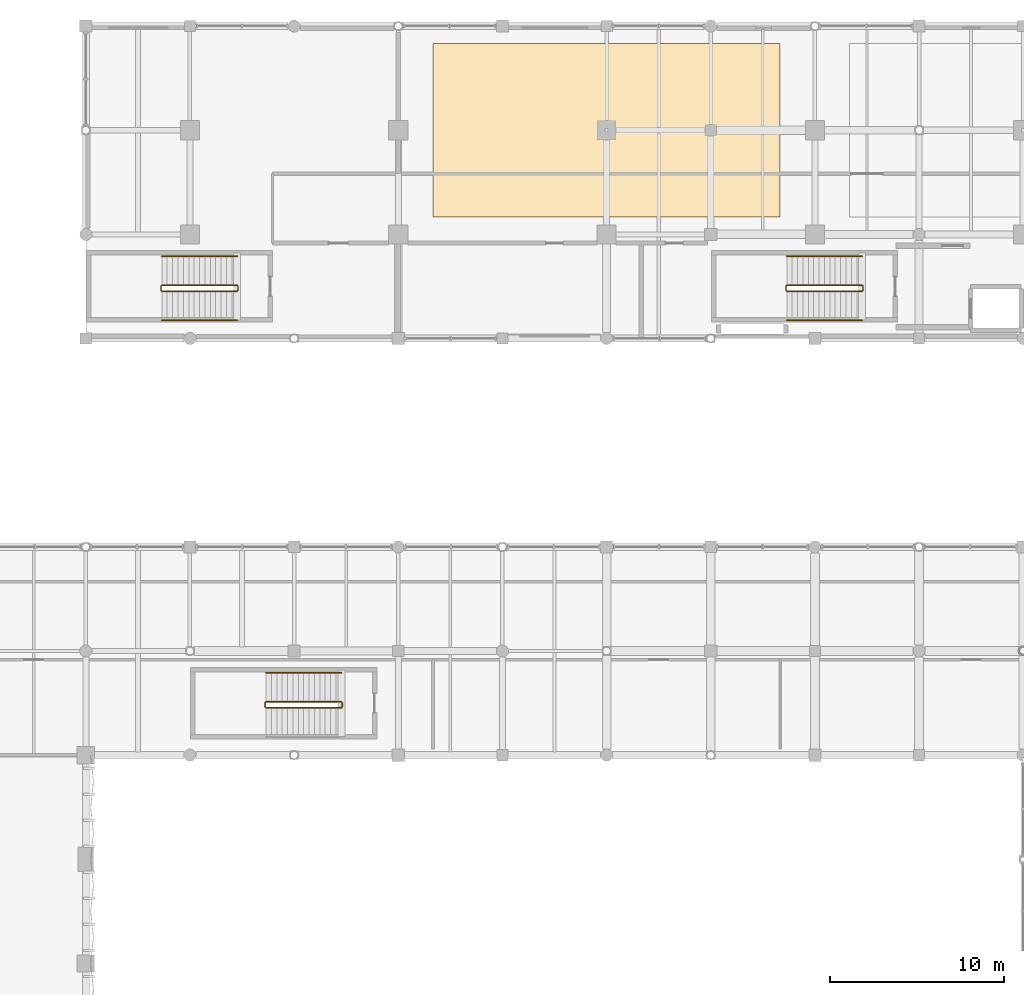
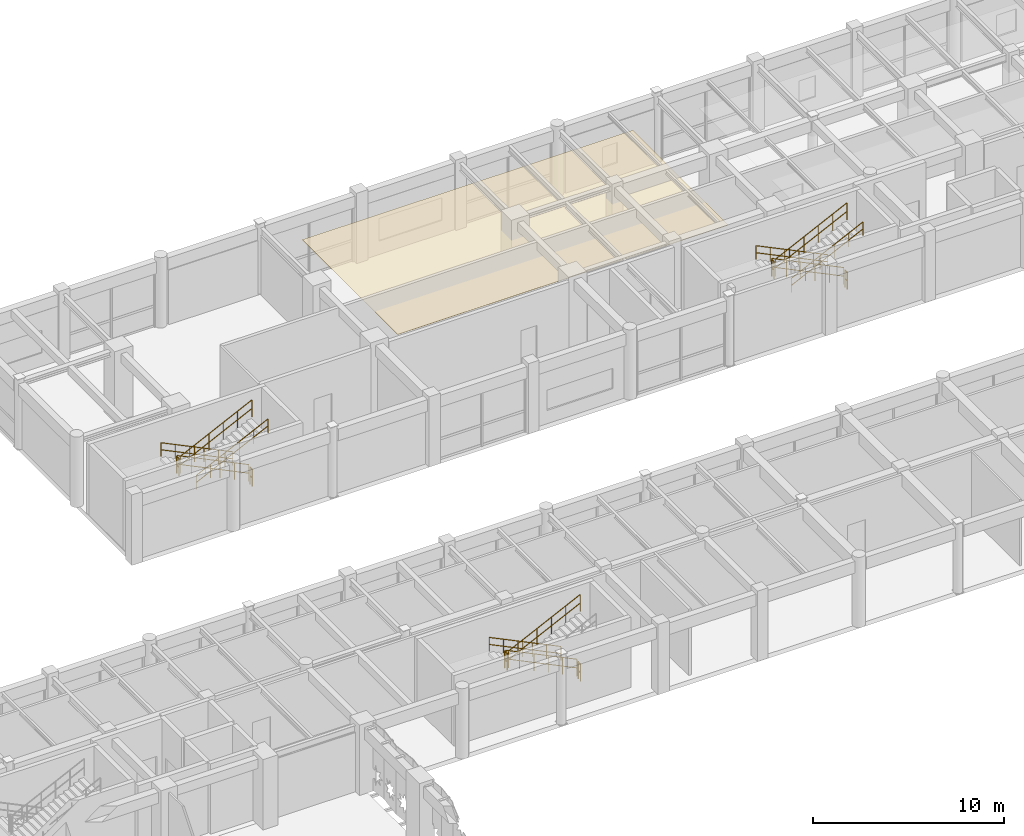
# One storey, part 113 of 116: 17 railings, 1 covering.
"""IFC4 building model written with IfcOpenShell, lengths in metres."""

from ifc_helpers import new_model, si_unit, direction, frame, origin, origin_2d, place, context, subcontext, project, spatial, polyline, circle, outline, extrude, material, layer, layer_set, type_object, element, save


model = new_model("IFC4")

# Units and contexts
model_context = context("Model", 3, precision=1e-05, world=origin(), true_north=direction((0.0, 1.0)))
body_context = subcontext(model_context, "Body", "Model", "MODEL_VIEW")
ifc_project = project(units=[si_unit("LENGTHUNIT", "METRE"), si_unit("AREAUNIT", "SQUARE_METRE"), si_unit("VOLUMEUNIT", "CUBIC_METRE"), si_unit("PLANEANGLEUNIT", "RADIAN"), si_unit("MASSUNIT", "GRAM", prefix="KILO"), si_unit("THERMODYNAMICTEMPERATUREUNIT", "KELVIN"), si_unit("POWERUNIT", "WATT")], contexts=[model_context])

# Site, building, storey
site_placement = place(None, origin())
site = spatial("IfcSite", under=ifc_project, at=site_placement, CompositionType="ELEMENT")
building_placement = place(site_placement, origin())
building = spatial("IfcBuilding", under=site, at=building_placement, Name="Phaisarnlok Congress Hotel", CompositionType="ELEMENT")
storey_placement = place(building_placement, frame((0.0, 0.0, 10.5)))
storey = spatial("IfcBuildingStorey", under=building, at=storey_placement, Name="L02", CompositionType="ELEMENT", Elevation=10.5)

# Covering
ifc_material_1 = material(Name="Perforated Timber & Mineral-Fibre Acoustic Ceiling", Category="wood")
ifc_layer = layer(ifc_material_1, 0.01806640625, Name="Perforated Timber & Mineral-Fibre Acoustic Ceiling")
ifc_layer_set = layer_set([ifc_layer], Name="Perforated Timber & Mineral-Fibre Acoustic Ceiling")
covering_type = type_object("IfcCoveringType", Name="CLG-AC-18", PredefinedType="CEILING", material=ifc_layer_set)
covering_placement = place(storey_placement, frame((0.0, 0.0, 3.199951171875)))
element("IfcCovering", 1, at=covering_placement, inside=storey, type_object=covering_type, Name="Suspended ceiling CLG-01 (L02)", PredefinedType="CEILING", context=body_context, shape_type="SweptSolid", body=[
    extrude(outline(polyline([(86.0, 125.0), (106.0, 125.0), (106.0, 115.0), (86.0, 115.0), (86.0, 125.0)])), origin(), (0.0, 0.0, 1.0), 0.01806640625),
])

# Railings
ifc_material_2 = material(Name="Painted Galvanised Steel S275", Category="steel")
railing_type_1 = type_object("IfcRailingType", Name="RLG-STR-GUARD", PredefinedType="BALUSTRADE", material=ifc_material_2)
railing_1_placement = place(storey_placement, frame((110.719970703125, 111.070068359375, 0.14990234375)))
element("IfcRailing", 2, at=railing_1_placement, inside=storey, type_object=railing_type_1, Name="L02 ST-07 stair guard 1", PredefinedType="BALUSTRADE", context=body_context, shape_type="SweptSolid", body=[
    extrude(circle(Radius=0.02392578125, at=origin_2d()), frame((0.0, 0.0, 1.076171875), z_axis=(-0.900154768424, 0.0, 0.435570192832), x_axis=(0.0, -1.0, 0.0)), (0.0, 0.0, 1.0), 4.821533203125),
    extrude(circle(Radius=0.02392578125, at=origin_2d()), frame((0.0, 0.0, 0.52587890625), z_axis=(-0.900154768424, 0.0, 0.435570192832), x_axis=(0.0, -1.0, 0.0)), (0.0, 0.0, 1.0), 4.821533203125),
    extrude(circle(Radius=0.02099609375, at=origin_2d()), origin(), (0.0, 0.0, 1.0), 1.052001953125),
    extrude(circle(Radius=0.02099609375, at=origin_2d()), frame((-0.867919921875, 0.0, 0.419921875)), (0.0, 0.0, 1.0), 1.052001953125),
    extrude(circle(Radius=0.02099609375, at=origin_2d()), frame((-1.736083984375, 0.0, 0.840087890625)), (0.0, 0.0, 1.0), 1.052001953125),
    extrude(circle(Radius=0.02099609375, at=origin_2d()), frame((-2.60400390625, 0.0, 1.260009765625)), (0.0, 0.0, 1.0), 1.052001953125),
    extrude(circle(Radius=0.02099609375, at=origin_2d()), frame((-3.47216796875, 0.0, 1.68017578125)), (0.0, 0.0, 1.0), 1.052001953125),
    extrude(circle(Radius=0.02099609375, at=origin_2d()), frame((-4.340087890625, 0.0, 2.10009765625)), (0.0, 0.0, 1.0), 1.052001953125),
])
railing_2_placement = place(storey_placement, frame((106.330078125, 111.02001953125, 2.25)))
element("IfcRailing", 3, at=railing_2_placement, inside=storey, type_object=railing_type_1, Name="L02 ST-07 stair guard 2", PredefinedType="BALUSTRADE", context=body_context, shape_type="SweptSolid", body=[
    extrude(circle(Radius=0.02392578125, at=origin_2d()), frame((0.0, 0.0, 1.076171875), z_axis=(0.0, -1.0, 0.0), x_axis=(1.0, 0.0, 0.0)), (0.0, 0.0, 1.0), 0.239990234375),
    extrude(circle(Radius=0.02392578125, at=origin_2d()), frame((0.0, 0.0, 0.52587890625), z_axis=(0.0, -1.0, 0.0), x_axis=(1.0, 0.0, 0.0)), (0.0, 0.0, 1.0), 0.239990234375),
    extrude(circle(Radius=0.02099609375, at=origin_2d()), origin(), (0.0, 0.0, 1.0), 1.052001953125),
    extrude(circle(Radius=0.02099609375, at=origin_2d()), frame((0.0, -0.239990234375, 0.0)), (0.0, 0.0, 1.0), 1.052001953125),
])
railing_3_placement = place(storey_placement, frame((106.3798828125, 110.72998046875, 2.39990234375)))
element("IfcRailing", 4, at=railing_3_placement, inside=storey, type_object=railing_type_1, Name="L02 ST-07 stair guard 3", PredefinedType="BALUSTRADE", context=body_context, shape_type="SweptSolid", body=[
    extrude(circle(Radius=0.02392578125, at=origin_2d()), frame((0.0, 0.0, 1.076171875), z_axis=(0.900154768424, 0.0, 0.435570192832), x_axis=(0.0, 1.0, 0.0)), (0.0, 0.0, 1.0), 4.821533203125),
    extrude(circle(Radius=0.02392578125, at=origin_2d()), frame((0.0, 0.0, 0.52587890625), z_axis=(0.900154768424, 0.0, 0.435570192832), x_axis=(0.0, 1.0, 0.0)), (0.0, 0.0, 1.0), 4.821533203125),
    extrude(circle(Radius=0.02099609375, at=origin_2d()), origin(), (0.0, 0.0, 1.0), 1.052001953125),
    extrude(circle(Radius=0.02099609375, at=origin_2d()), frame((0.867919921875, 0.0, 0.419921875)), (0.0, 0.0, 1.0), 1.052001953125),
    extrude(circle(Radius=0.02099609375, at=origin_2d()), frame((1.736083984375, 0.0, 0.840087890625)), (0.0, 0.0, 1.0), 1.052001953125),
    extrude(circle(Radius=0.02099609375, at=origin_2d()), frame((2.60400390625, 0.0, 1.260009765625)), (0.0, 0.0, 1.0), 1.052001953125),
    extrude(circle(Radius=0.02099609375, at=origin_2d()), frame((3.47216796875, 0.0, 1.68017578125)), (0.0, 0.0, 1.0), 1.052001953125),
    extrude(circle(Radius=0.02099609375, at=origin_2d()), frame((4.340087890625, 0.0, 2.10009765625)), (0.0, 0.0, 1.0), 1.052001953125),
])
railing_4_placement = place(storey_placement, frame((110.77001953125, 111.02001953125, 0.0)))
element("IfcRailing", 5, at=railing_4_placement, inside=storey, type_object=railing_type_1, Name="L02 ST-07 stair guard 4", PredefinedType="BALUSTRADE", context=body_context, shape_type="SweptSolid", body=[
    extrude(circle(Radius=0.02392578125, at=origin_2d()), frame((0.0, 0.0, 1.076171875), z_axis=(0.0, -1.0, 0.0), x_axis=(1.0, 0.0, 0.0)), (0.0, 0.0, 1.0), 0.239990234375),
    extrude(circle(Radius=0.02392578125, at=origin_2d()), frame((0.0, 0.0, 0.52587890625), z_axis=(0.0, -1.0, 0.0), x_axis=(1.0, 0.0, 0.0)), (0.0, 0.0, 1.0), 0.239990234375),
    extrude(circle(Radius=0.02099609375, at=origin_2d()), origin(), (0.0, 0.0, 1.0), 1.052001953125),
    extrude(circle(Radius=0.02099609375, at=origin_2d()), frame((0.0, -0.239990234375, 0.0)), (0.0, 0.0, 1.0), 1.052001953125),
])
railing_5_placement = place(storey_placement, frame((74.719970703125, 111.070068359375, 0.14990234375)))
element("IfcRailing", 6, at=railing_5_placement, inside=storey, type_object=railing_type_1, Name="L02 ST-10 stair guard 1", PredefinedType="BALUSTRADE", context=body_context, shape_type="SweptSolid", body=[
    extrude(circle(Radius=0.02392578125, at=origin_2d()), frame((0.0, 0.0, 1.076171875), z_axis=(-0.900154768424, 0.0, 0.435570192832), x_axis=(0.0, -1.0, 0.0)), (0.0, 0.0, 1.0), 4.821533203125),
    extrude(circle(Radius=0.02392578125, at=origin_2d()), frame((0.0, 0.0, 0.52587890625), z_axis=(-0.900154768424, 0.0, 0.435570192832), x_axis=(0.0, -1.0, 0.0)), (0.0, 0.0, 1.0), 4.821533203125),
    extrude(circle(Radius=0.02099609375, at=origin_2d()), origin(), (0.0, 0.0, 1.0), 1.052001953125),
    extrude(circle(Radius=0.02099609375, at=origin_2d()), frame((-0.867919921875, 0.0, 0.419921875)), (0.0, 0.0, 1.0), 1.052001953125),
    extrude(circle(Radius=0.02099609375, at=origin_2d()), frame((-1.736083984375, 0.0, 0.840087890625)), (0.0, 0.0, 1.0), 1.052001953125),
    extrude(circle(Radius=0.02099609375, at=origin_2d()), frame((-2.60400390625, 0.0, 1.260009765625)), (0.0, 0.0, 1.0), 1.052001953125),
    extrude(circle(Radius=0.02099609375, at=origin_2d()), frame((-3.47216796875, 0.0, 1.68017578125)), (0.0, 0.0, 1.0), 1.052001953125),
    extrude(circle(Radius=0.02099609375, at=origin_2d()), frame((-4.340087890625, 0.0, 2.10009765625)), (0.0, 0.0, 1.0), 1.052001953125),
])
railing_6_placement = place(storey_placement, frame((70.330078125, 111.02001953125, 2.25)))
element("IfcRailing", 7, at=railing_6_placement, inside=storey, type_object=railing_type_1, Name="L02 ST-10 stair guard 2", PredefinedType="BALUSTRADE", context=body_context, shape_type="SweptSolid", body=[
    extrude(circle(Radius=0.02392578125, at=origin_2d()), frame((0.0, 0.0, 1.076171875), z_axis=(0.0, -1.0, 0.0), x_axis=(1.0, 0.0, 0.0)), (0.0, 0.0, 1.0), 0.239990234375),
    extrude(circle(Radius=0.02392578125, at=origin_2d()), frame((0.0, 0.0, 0.52587890625), z_axis=(0.0, -1.0, 0.0), x_axis=(1.0, 0.0, 0.0)), (0.0, 0.0, 1.0), 0.239990234375),
    extrude(circle(Radius=0.02099609375, at=origin_2d()), origin(), (0.0, 0.0, 1.0), 1.052001953125),
    extrude(circle(Radius=0.02099609375, at=origin_2d()), frame((0.0, -0.239990234375, 0.0)), (0.0, 0.0, 1.0), 1.052001953125),
])
railing_7_placement = place(storey_placement, frame((70.3798828125, 110.72998046875, 2.39990234375)))
element("IfcRailing", 8, at=railing_7_placement, inside=storey, type_object=railing_type_1, Name="L02 ST-10 stair guard 3", PredefinedType="BALUSTRADE", context=body_context, shape_type="SweptSolid", body=[
    extrude(circle(Radius=0.02392578125, at=origin_2d()), frame((0.0, 0.0, 1.076171875), z_axis=(0.900154768424, 0.0, 0.435570192832), x_axis=(0.0, 1.0, 0.0)), (0.0, 0.0, 1.0), 4.821533203125),
    extrude(circle(Radius=0.02392578125, at=origin_2d()), frame((0.0, 0.0, 0.52587890625), z_axis=(0.900154768424, 0.0, 0.435570192832), x_axis=(0.0, 1.0, 0.0)), (0.0, 0.0, 1.0), 4.821533203125),
    extrude(circle(Radius=0.02099609375, at=origin_2d()), origin(), (0.0, 0.0, 1.0), 1.052001953125),
    extrude(circle(Radius=0.02099609375, at=origin_2d()), frame((0.867919921875, 0.0, 0.419921875)), (0.0, 0.0, 1.0), 1.052001953125),
    extrude(circle(Radius=0.02099609375, at=origin_2d()), frame((1.736083984375, 0.0, 0.840087890625)), (0.0, 0.0, 1.0), 1.052001953125),
    extrude(circle(Radius=0.02099609375, at=origin_2d()), frame((2.60400390625, 0.0, 1.260009765625)), (0.0, 0.0, 1.0), 1.052001953125),
    extrude(circle(Radius=0.02099609375, at=origin_2d()), frame((3.47216796875, 0.0, 1.68017578125)), (0.0, 0.0, 1.0), 1.052001953125),
    extrude(circle(Radius=0.02099609375, at=origin_2d()), frame((4.340087890625, 0.0, 2.10009765625)), (0.0, 0.0, 1.0), 1.052001953125),
])
railing_8_placement = place(storey_placement, frame((74.77001953125, 111.02001953125, 0.0)))
element("IfcRailing", 9, at=railing_8_placement, inside=storey, type_object=railing_type_1, Name="L02 ST-10 stair guard 4", PredefinedType="BALUSTRADE", context=body_context, shape_type="SweptSolid", body=[
    extrude(circle(Radius=0.02392578125, at=origin_2d()), frame((0.0, 0.0, 1.076171875), z_axis=(0.0, -1.0, 0.0), x_axis=(1.0, 0.0, 0.0)), (0.0, 0.0, 1.0), 0.239990234375),
    extrude(circle(Radius=0.02392578125, at=origin_2d()), frame((0.0, 0.0, 0.52587890625), z_axis=(0.0, -1.0, 0.0), x_axis=(1.0, 0.0, 0.0)), (0.0, 0.0, 1.0), 0.239990234375),
    extrude(circle(Radius=0.02099609375, at=origin_2d()), origin(), (0.0, 0.0, 1.0), 1.052001953125),
    extrude(circle(Radius=0.02099609375, at=origin_2d()), frame((0.0, -0.239990234375, 0.0)), (0.0, 0.0, 1.0), 1.052001953125),
])
railing_9_placement = place(storey_placement, frame((80.719970703125, 87.070068359375, 0.14990234375)))
element("IfcRailing", 10, at=railing_9_placement, inside=storey, type_object=railing_type_1, Name="L02 ST-11 stair guard 1", PredefinedType="BALUSTRADE", context=body_context, shape_type="SweptSolid", body=[
    extrude(circle(Radius=0.02392578125, at=origin_2d()), frame((0.0, 0.0, 1.076171875), z_axis=(-0.900154768424, 0.0, 0.435570192832), x_axis=(0.0, -1.0, 0.0)), (0.0, 0.0, 1.0), 4.821533203125),
    extrude(circle(Radius=0.02392578125, at=origin_2d()), frame((0.0, 0.0, 0.52587890625), z_axis=(-0.900154768424, 0.0, 0.435570192832), x_axis=(0.0, -1.0, 0.0)), (0.0, 0.0, 1.0), 4.821533203125),
    extrude(circle(Radius=0.02099609375, at=origin_2d()), origin(), (0.0, 0.0, 1.0), 1.052001953125),
    extrude(circle(Radius=0.02099609375, at=origin_2d()), frame((-0.867919921875, 0.0, 0.419921875)), (0.0, 0.0, 1.0), 1.052001953125),
    extrude(circle(Radius=0.02099609375, at=origin_2d()), frame((-1.736083984375, 0.0, 0.840087890625)), (0.0, 0.0, 1.0), 1.052001953125),
    extrude(circle(Radius=0.02099609375, at=origin_2d()), frame((-2.60400390625, 0.0, 1.260009765625)), (0.0, 0.0, 1.0), 1.052001953125),
    extrude(circle(Radius=0.02099609375, at=origin_2d()), frame((-3.47216796875, 0.0, 1.68017578125)), (0.0, 0.0, 1.0), 1.052001953125),
    extrude(circle(Radius=0.02099609375, at=origin_2d()), frame((-4.340087890625, 0.0, 2.10009765625)), (0.0, 0.0, 1.0), 1.052001953125),
])
railing_10_placement = place(storey_placement, frame((76.330078125, 87.02001953125, 2.25)))
element("IfcRailing", 11, at=railing_10_placement, inside=storey, type_object=railing_type_1, Name="L02 ST-11 stair guard 2", PredefinedType="BALUSTRADE", context=body_context, shape_type="SweptSolid", body=[
    extrude(circle(Radius=0.02392578125, at=origin_2d()), frame((0.0, 0.0, 1.076171875), z_axis=(0.0, -1.0, 0.0), x_axis=(1.0, 0.0, 0.0)), (0.0, 0.0, 1.0), 0.239990234375),
    extrude(circle(Radius=0.02392578125, at=origin_2d()), frame((0.0, 0.0, 0.52587890625), z_axis=(0.0, -1.0, 0.0), x_axis=(1.0, 0.0, 0.0)), (0.0, 0.0, 1.0), 0.239990234375),
    extrude(circle(Radius=0.02099609375, at=origin_2d()), origin(), (0.0, 0.0, 1.0), 1.052001953125),
    extrude(circle(Radius=0.02099609375, at=origin_2d()), frame((0.0, -0.239990234375, 0.0)), (0.0, 0.0, 1.0), 1.052001953125),
])
railing_11_placement = place(storey_placement, frame((76.3798828125, 86.72998046875, 2.39990234375)))
element("IfcRailing", 12, at=railing_11_placement, inside=storey, type_object=railing_type_1, Name="L02 ST-11 stair guard 3", PredefinedType="BALUSTRADE", context=body_context, shape_type="SweptSolid", body=[
    extrude(circle(Radius=0.02392578125, at=origin_2d()), frame((0.0, 0.0, 1.076171875), z_axis=(0.900154768424, 0.0, 0.435570192832), x_axis=(0.0, 1.0, 0.0)), (0.0, 0.0, 1.0), 4.821533203125),
    extrude(circle(Radius=0.02392578125, at=origin_2d()), frame((0.0, 0.0, 0.52587890625), z_axis=(0.900154768424, 0.0, 0.435570192832), x_axis=(0.0, 1.0, 0.0)), (0.0, 0.0, 1.0), 4.821533203125),
    extrude(circle(Radius=0.02099609375, at=origin_2d()), origin(), (0.0, 0.0, 1.0), 1.052001953125),
    extrude(circle(Radius=0.02099609375, at=origin_2d()), frame((0.867919921875, 0.0, 0.419921875)), (0.0, 0.0, 1.0), 1.052001953125),
    extrude(circle(Radius=0.02099609375, at=origin_2d()), frame((1.736083984375, 0.0, 0.840087890625)), (0.0, 0.0, 1.0), 1.052001953125),
    extrude(circle(Radius=0.02099609375, at=origin_2d()), frame((2.60400390625, 0.0, 1.260009765625)), (0.0, 0.0, 1.0), 1.052001953125),
    extrude(circle(Radius=0.02099609375, at=origin_2d()), frame((3.47216796875, 0.0, 1.68017578125)), (0.0, 0.0, 1.0), 1.052001953125),
    extrude(circle(Radius=0.02099609375, at=origin_2d()), frame((4.340087890625, 0.0, 2.10009765625)), (0.0, 0.0, 1.0), 1.052001953125),
])
railing_12_placement = place(storey_placement, frame((80.77001953125, 87.02001953125, 0.0)))
element("IfcRailing", 13, at=railing_12_placement, inside=storey, type_object=railing_type_1, Name="L02 ST-11 stair guard 4", PredefinedType="BALUSTRADE", context=body_context, shape_type="SweptSolid", body=[
    extrude(circle(Radius=0.02392578125, at=origin_2d()), frame((0.0, 0.0, 1.076171875), z_axis=(0.0, -1.0, 0.0), x_axis=(1.0, 0.0, 0.0)), (0.0, 0.0, 1.0), 0.239990234375),
    extrude(circle(Radius=0.02392578125, at=origin_2d()), frame((0.0, 0.0, 0.52587890625), z_axis=(0.0, -1.0, 0.0), x_axis=(1.0, 0.0, 0.0)), (0.0, 0.0, 1.0), 0.239990234375),
    extrude(circle(Radius=0.02099609375, at=origin_2d()), origin(), (0.0, 0.0, 1.0), 1.052001953125),
    extrude(circle(Radius=0.02099609375, at=origin_2d()), frame((0.0, -0.239990234375, 0.0)), (0.0, 0.0, 1.0), 1.052001953125),
])
ifc_material_3 = material(Name="Brushed Stainless Steel Grade 304", Category="steel")
railing_type_2 = type_object("IfcRailingType", Name="RLG-STR-HRAIL", PredefinedType="HANDRAIL", material=ifc_material_3)
railing_13_placement = place(storey_placement, frame((110.719970703125, 112.75, 0.14990234375)))
element("IfcRailing", 14, at=railing_13_placement, inside=storey, type_object=railing_type_2, Name="L02 ST-07 stair handrail 1", PredefinedType="HANDRAIL", context=body_context, shape_type="SweptSolid", body=[
    extrude(circle(Radius=0.02392578125, at=origin_2d()), frame((0.0, 0.0, 0.8759765625), z_axis=(-0.900154768424, 0.0, 0.435570192832), x_axis=(0.0, -1.0, 0.0)), (0.0, 0.0, 1.0), 4.821533203125),
    extrude(circle(Radius=0.02392578125, at=origin_2d()), frame((0.0, 0.0, 0.42578125), z_axis=(-0.900154768424, 0.0, 0.435570192832), x_axis=(0.0, -1.0, 0.0)), (0.0, 0.0, 1.0), 4.821533203125),
    extrude(circle(Radius=0.02099609375, at=origin_2d()), origin(), (0.0, 0.0, 1.0), 0.851806640625),
    extrude(circle(Radius=0.02099609375, at=origin_2d()), frame((-0.867919921875, 0.0, 0.419921875)), (0.0, 0.0, 1.0), 0.851806640625),
    extrude(circle(Radius=0.02099609375, at=origin_2d()), frame((-1.736083984375, 0.0, 0.840087890625)), (0.0, 0.0, 1.0), 0.851806640625),
    extrude(circle(Radius=0.02099609375, at=origin_2d()), frame((-2.60400390625, 0.0, 1.260009765625)), (0.0, 0.0, 1.0), 0.851806640625),
    extrude(circle(Radius=0.02099609375, at=origin_2d()), frame((-3.47216796875, 0.0, 1.68017578125)), (0.0, 0.0, 1.0), 0.851806640625),
    extrude(circle(Radius=0.02099609375, at=origin_2d()), frame((-4.340087890625, 0.0, 2.10009765625)), (0.0, 0.0, 1.0), 0.851806640625),
])
railing_14_placement = place(storey_placement, frame((106.3798828125, 109.050048828125, 2.39990234375)))
element("IfcRailing", 15, at=railing_14_placement, inside=storey, type_object=railing_type_2, Name="L02 ST-07 stair handrail 2", PredefinedType="HANDRAIL", context=body_context, shape_type="SweptSolid", body=[
    extrude(circle(Radius=0.02392578125, at=origin_2d()), frame((0.0, 0.0, 0.8759765625), z_axis=(0.900154768424, 0.0, 0.435570192832), x_axis=(0.0, 1.0, 0.0)), (0.0, 0.0, 1.0), 4.821533203125),
    extrude(circle(Radius=0.02392578125, at=origin_2d()), frame((0.0, 0.0, 0.42578125), z_axis=(0.900154768424, 0.0, 0.435570192832), x_axis=(0.0, 1.0, 0.0)), (0.0, 0.0, 1.0), 4.821533203125),
    extrude(circle(Radius=0.02099609375, at=origin_2d()), origin(), (0.0, 0.0, 1.0), 0.851806640625),
    extrude(circle(Radius=0.02099609375, at=origin_2d()), frame((0.867919921875, 0.0, 0.419921875)), (0.0, 0.0, 1.0), 0.851806640625),
    extrude(circle(Radius=0.02099609375, at=origin_2d()), frame((1.736083984375, 0.0, 0.840087890625)), (0.0, 0.0, 1.0), 0.851806640625),
    extrude(circle(Radius=0.02099609375, at=origin_2d()), frame((2.60400390625, 0.0, 1.260009765625)), (0.0, 0.0, 1.0), 0.851806640625),
    extrude(circle(Radius=0.02099609375, at=origin_2d()), frame((3.47216796875, 0.0, 1.68017578125)), (0.0, 0.0, 1.0), 0.851806640625),
    extrude(circle(Radius=0.02099609375, at=origin_2d()), frame((4.340087890625, 0.0, 2.10009765625)), (0.0, 0.0, 1.0), 0.851806640625),
])
railing_15_placement = place(storey_placement, frame((74.719970703125, 112.75, 0.14990234375)))
element("IfcRailing", 16, at=railing_15_placement, inside=storey, type_object=railing_type_2, Name="L02 ST-10 stair handrail 1", PredefinedType="HANDRAIL", context=body_context, shape_type="SweptSolid", body=[
    extrude(circle(Radius=0.02392578125, at=origin_2d()), frame((0.0, 0.0, 0.8759765625), z_axis=(-0.900154768424, 0.0, 0.435570192832), x_axis=(0.0, -1.0, 0.0)), (0.0, 0.0, 1.0), 4.821533203125),
    extrude(circle(Radius=0.02392578125, at=origin_2d()), frame((0.0, 0.0, 0.42578125), z_axis=(-0.900154768424, 0.0, 0.435570192832), x_axis=(0.0, -1.0, 0.0)), (0.0, 0.0, 1.0), 4.821533203125),
    extrude(circle(Radius=0.02099609375, at=origin_2d()), origin(), (0.0, 0.0, 1.0), 0.851806640625),
    extrude(circle(Radius=0.02099609375, at=origin_2d()), frame((-0.867919921875, 0.0, 0.419921875)), (0.0, 0.0, 1.0), 0.851806640625),
    extrude(circle(Radius=0.02099609375, at=origin_2d()), frame((-1.736083984375, 0.0, 0.840087890625)), (0.0, 0.0, 1.0), 0.851806640625),
    extrude(circle(Radius=0.02099609375, at=origin_2d()), frame((-2.60400390625, 0.0, 1.260009765625)), (0.0, 0.0, 1.0), 0.851806640625),
    extrude(circle(Radius=0.02099609375, at=origin_2d()), frame((-3.47216796875, 0.0, 1.68017578125)), (0.0, 0.0, 1.0), 0.851806640625),
    extrude(circle(Radius=0.02099609375, at=origin_2d()), frame((-4.340087890625, 0.0, 2.10009765625)), (0.0, 0.0, 1.0), 0.851806640625),
])
railing_16_placement = place(storey_placement, frame((70.3798828125, 109.050048828125, 2.39990234375)))
element("IfcRailing", 17, at=railing_16_placement, inside=storey, type_object=railing_type_2, Name="L02 ST-10 stair handrail 2", PredefinedType="HANDRAIL", context=body_context, shape_type="SweptSolid", body=[
    extrude(circle(Radius=0.02392578125, at=origin_2d()), frame((0.0, 0.0, 0.8759765625), z_axis=(0.900154768424, 0.0, 0.435570192832), x_axis=(0.0, 1.0, 0.0)), (0.0, 0.0, 1.0), 4.821533203125),
    extrude(circle(Radius=0.02392578125, at=origin_2d()), frame((0.0, 0.0, 0.42578125), z_axis=(0.900154768424, 0.0, 0.435570192832), x_axis=(0.0, 1.0, 0.0)), (0.0, 0.0, 1.0), 4.821533203125),
    extrude(circle(Radius=0.02099609375, at=origin_2d()), origin(), (0.0, 0.0, 1.0), 0.851806640625),
    extrude(circle(Radius=0.02099609375, at=origin_2d()), frame((0.867919921875, 0.0, 0.419921875)), (0.0, 0.0, 1.0), 0.851806640625),
    extrude(circle(Radius=0.02099609375, at=origin_2d()), frame((1.736083984375, 0.0, 0.840087890625)), (0.0, 0.0, 1.0), 0.851806640625),
    extrude(circle(Radius=0.02099609375, at=origin_2d()), frame((2.60400390625, 0.0, 1.260009765625)), (0.0, 0.0, 1.0), 0.851806640625),
    extrude(circle(Radius=0.02099609375, at=origin_2d()), frame((3.47216796875, 0.0, 1.68017578125)), (0.0, 0.0, 1.0), 0.851806640625),
    extrude(circle(Radius=0.02099609375, at=origin_2d()), frame((4.340087890625, 0.0, 2.10009765625)), (0.0, 0.0, 1.0), 0.851806640625),
])
railing_17_placement = place(storey_placement, frame((80.719970703125, 88.75, 0.14990234375)))
element("IfcRailing", 18, at=railing_17_placement, inside=storey, type_object=railing_type_2, Name="L02 ST-11 stair handrail 1", PredefinedType="HANDRAIL", context=body_context, shape_type="SweptSolid", body=[
    extrude(circle(Radius=0.02392578125, at=origin_2d()), frame((0.0, 0.0, 0.8759765625), z_axis=(-0.900154768424, 0.0, 0.435570192832), x_axis=(0.0, -1.0, 0.0)), (0.0, 0.0, 1.0), 4.821533203125),
    extrude(circle(Radius=0.02392578125, at=origin_2d()), frame((0.0, 0.0, 0.42578125), z_axis=(-0.900154768424, 0.0, 0.435570192832), x_axis=(0.0, -1.0, 0.0)), (0.0, 0.0, 1.0), 4.821533203125),
    extrude(circle(Radius=0.02099609375, at=origin_2d()), origin(), (0.0, 0.0, 1.0), 0.851806640625),
    extrude(circle(Radius=0.02099609375, at=origin_2d()), frame((-0.867919921875, 0.0, 0.419921875)), (0.0, 0.0, 1.0), 0.851806640625),
    extrude(circle(Radius=0.02099609375, at=origin_2d()), frame((-1.736083984375, 0.0, 0.840087890625)), (0.0, 0.0, 1.0), 0.851806640625),
    extrude(circle(Radius=0.02099609375, at=origin_2d()), frame((-2.60400390625, 0.0, 1.260009765625)), (0.0, 0.0, 1.0), 0.851806640625),
    extrude(circle(Radius=0.02099609375, at=origin_2d()), frame((-3.47216796875, 0.0, 1.68017578125)), (0.0, 0.0, 1.0), 0.851806640625),
    extrude(circle(Radius=0.02099609375, at=origin_2d()), frame((-4.340087890625, 0.0, 2.10009765625)), (0.0, 0.0, 1.0), 0.851806640625),
])

save(model, "model.ifc")
